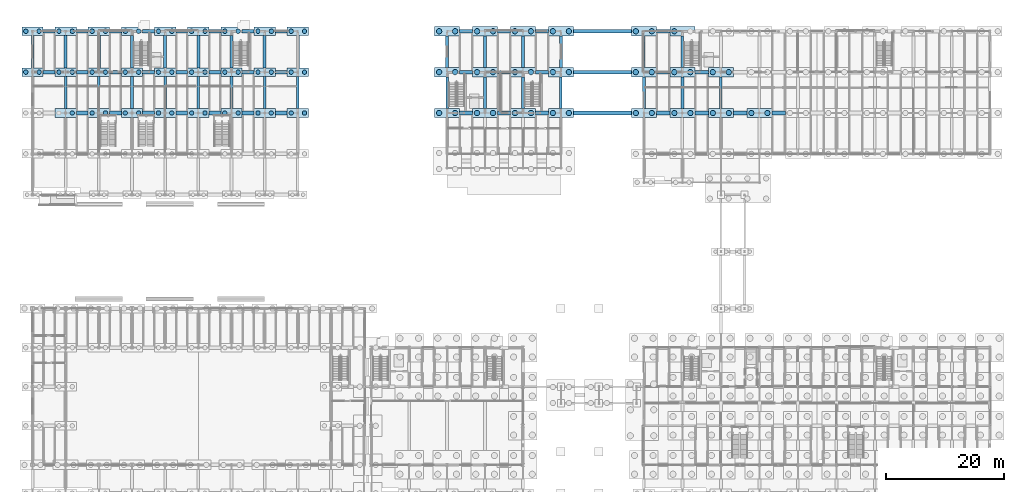
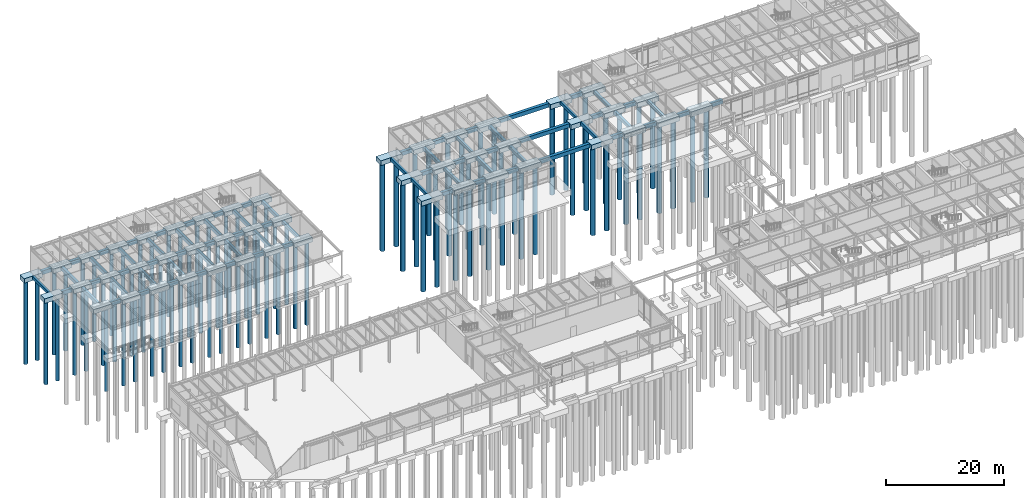
# One storey, part 5 of 82: 119 footings, 92 piles.
"""IFC4 building model written with IfcOpenShell, lengths in metres."""

from ifc_helpers import new_model, si_unit, direction, frame, origin, origin_2d, place, context, subcontext, project, spatial, rectangle, circle, extrude, material, material_profile, profile_set, type_object, element, save


model = new_model("IFC4")

# Units and contexts
model_context = context("Model", 3, precision=1e-05, world=origin(), true_north=direction((0.0, 1.0)))
body_context = subcontext(model_context, "Body", "Model", "MODEL_VIEW")
ifc_project = project(units=[si_unit("LENGTHUNIT", "METRE"), si_unit("AREAUNIT", "SQUARE_METRE"), si_unit("VOLUMEUNIT", "CUBIC_METRE"), si_unit("PLANEANGLEUNIT", "RADIAN"), si_unit("MASSUNIT", "GRAM", prefix="KILO")], contexts=[model_context])

# Site, building, storey
site_placement = place(None, origin())
site = spatial("IfcSite", under=ifc_project, at=site_placement, CompositionType="ELEMENT")
building_placement = place(site_placement, origin())
building = spatial("IfcBuilding", under=site, at=building_placement, Name="Trelmorton Wharf Fire Station", CompositionType="ELEMENT")
storey_placement = place(building_placement, origin())
storey = spatial("IfcBuildingStorey", under=building, at=storey_placement, Name="L00", CompositionType="ELEMENT", Elevation=0.0)

# Footings
ifc_material_1 = material(Name="Concrete 40 MPa", Category="concrete")
ifc_material_profile_1 = material_profile(ifc_material_1, rectangle(XDim=0.449951171875, YDim=0.64990234375, at=origin_2d()), Name="RC450x650")
ifc_profile_set_1 = profile_set([ifc_material_profile_1], Name="Concrete 40 MPa")
footing_type_1 = type_object("IfcFootingType", Name="GB_450x650", PredefinedType="FOOTING_BEAM", material=ifc_profile_set_1)
for number, where, z_axis, x_axis, name in (
    (1, (0.800048828125, 74.824951171875, -0.675048828125), (0.0, 1.0, 0.0), (-1.0, 0.0, 0.0), "FT-GB-207"),
    (2, (6.39990234375, 67.925048828125, -0.675048828125), (0.0, 1.0, 0.0), (-1.0, 0.0, 0.0), "FT-GB-215"),
    (3, (12.0, 67.925048828125, -0.675048828125), (0.0, 1.0, 0.0), (-1.0, 0.0, 0.0), "FT-GB-221"),
    (4, (17.60009765625, 67.925048828125, -0.675048828125), (0.0, 1.0, 0.0), (-1.0, 0.0, 0.0), "FT-GB-227"),
    (5, (23.199951171875, 67.925048828125, -0.675048828125), (0.0, 1.0, 0.0), (-1.0, 0.0, 0.0), "FT-GB-233"),
    (6, (28.800048828125, 67.925048828125, -0.675048828125), (0.0, 1.0, 0.0), (-1.0, 0.0, 0.0), "FT-GB-239"),
    (7, (34.39990234375, 67.925048828125, -0.675048828125), (0.0, 1.0, 0.0), (-1.0, 0.0, 0.0), "FT-GB-245"),
    (8, (40.0, 67.925048828125, -0.675048828125), (0.0, 1.0, 0.0), (-1.0, 0.0, 0.0), "FT-GB-251"),
    (9, (45.60009765625, 67.925048828125, -0.675048828125), (0.0, 1.0, 0.0), (-1.0, 0.0, 0.0), "FT-GB-257"),
):
    element("IfcFooting", number, at=place(storey_placement, frame(where, z_axis=z_axis, x_axis=x_axis)), inside=storey, type_object=footing_type_1, Name=name, PredefinedType="FOOTING_BEAM", context=body_context, shape_type="SweptSolid", body=[
        extrude(rectangle(XDim=0.449951171875, YDim=0.64990234375, at=origin_2d()), origin(), (0.0, 0.0, 1.0), 5.449951171875),
    ])
for number, where, z_axis, x_axis, name in (
    (10, (70.800048828125, 68.0, -0.675048828125), (0.0, 1.0, 0.0), (-1.0, 0.0, 0.0), "FT-GB-275"),
    (11, (77.199951171875, 68.0, -0.675048828125), (0.0, 1.0, 0.0), (-1.0, 0.0, 0.0), "FT-GB-281"),
    (12, (83.60009765625, 74.89990234375, -0.675048828125), (0.0, 1.0, 0.0), (-1.0, 0.0, 0.0), "FT-GB-289"),
    (13, (90.0, 68.0, -0.675048828125), (0.0, 1.0, 0.0), (-1.0, 0.0, 0.0), "FT-GB-291"),
    (14, (104.0, 74.89990234375, -0.675048828125), (0.0, 1.0, 0.0), (-1.0, 0.0, 0.0), "FT-GB-297"),
    (15, (110.5, 74.89990234375, -0.675048828125), (0.0, 1.0, 0.0), (-1.0, 0.0, 0.0), "FT-GB-305"),
    (16, (117.0, 68.0, -0.675048828125), (0.0, 1.0, 0.0), (-1.0, 0.0, 0.0), "FT-GB-313"),
):
    element("IfcFooting", number, at=place(storey_placement, frame(where, z_axis=z_axis, x_axis=x_axis)), inside=storey, type_object=footing_type_1, Name=name, PredefinedType="FOOTING_BEAM", context=body_context, shape_type="SweptSolid", body=[
        extrude(rectangle(XDim=0.449951171875, YDim=0.64990234375, at=origin_2d()), origin(), (0.0, 0.0, 1.0), 5.300048828125),
    ])
ifc_material_profile_2 = material_profile(ifc_material_1, rectangle(XDim=0.5, YDim=0.699951171875, at=origin_2d()), Name="RC500x700")
ifc_profile_set_2 = profile_set([ifc_material_profile_2], Name="Concrete 40 MPa")
footing_type_2 = type_object("IfcFootingType", Name="GB_500x700", PredefinedType="FOOTING_BEAM", material=ifc_profile_set_2)
for number, where, z_axis, x_axis, name in (
    (17, (6.39990234375, 74.824951171875, -0.699951171875), (0.0, 1.0, 0.0), (-1.0, 0.0, 0.0), "FT-GB-216"),
    (18, (12.0, 74.824951171875, -0.699951171875), (0.0, 1.0, 0.0), (-1.0, 0.0, 0.0), "FT-GB-222"),
    (19, (17.60009765625, 74.824951171875, -0.699951171875), (0.0, 1.0, 0.0), (-1.0, 0.0, 0.0), "FT-GB-228"),
    (20, (23.199951171875, 74.824951171875, -0.699951171875), (0.0, 1.0, 0.0), (-1.0, 0.0, 0.0), "FT-GB-234"),
    (21, (28.800048828125, 74.824951171875, -0.699951171875), (0.0, 1.0, 0.0), (-1.0, 0.0, 0.0), "FT-GB-240"),
    (22, (34.39990234375, 74.824951171875, -0.699951171875), (0.0, 1.0, 0.0), (-1.0, 0.0, 0.0), "FT-GB-246"),
    (23, (40.0, 74.824951171875, -0.699951171875), (0.0, 1.0, 0.0), (-1.0, 0.0, 0.0), "FT-GB-252"),
    (24, (45.60009765625, 74.824951171875, -0.699951171875), (0.0, 1.0, 0.0), (-1.0, 0.0, 0.0), "FT-GB-258"),
):
    element("IfcFooting", number, at=place(storey_placement, frame(where, z_axis=z_axis, x_axis=x_axis)), inside=storey, type_object=footing_type_2, Name=name, PredefinedType="FOOTING_BEAM", context=body_context, shape_type="SweptSolid", body=[
        extrude(rectangle(XDim=0.5, YDim=0.699951171875, at=origin_2d()), origin(), (0.0, 0.0, 1.0), 5.449951171875),
    ])
for number, where, z_axis, x_axis, name in (
    (25, (70.800048828125, 74.89990234375, -0.699951171875), (0.0, 1.0, 0.0), (-1.0, 0.0, 0.0), "FT-GB-276"),
    (26, (77.199951171875, 74.89990234375, -0.699951171875), (0.0, 1.0, 0.0), (-1.0, 0.0, 0.0), "FT-GB-282"),
    (27, (83.60009765625, 68.0, -0.699951171875), (0.0, 1.0, 0.0), (-1.0, 0.0, 0.0), "FT-GB-288"),
    (28, (90.0, 74.89990234375, -0.699951171875), (0.0, 1.0, 0.0), (-1.0, 0.0, 0.0), "FT-GB-292"),
    (29, (104.0, 68.0, -0.699951171875), (0.0, 1.0, 0.0), (-1.0, 0.0, 0.0), "FT-GB-296"),
    (30, (110.5, 68.0, -0.699951171875), (0.0, 1.0, 0.0), (-1.0, 0.0, 0.0), "FT-GB-304"),
):
    element("IfcFooting", number, at=place(storey_placement, frame(where, z_axis=z_axis, x_axis=x_axis)), inside=storey, type_object=footing_type_2, Name=name, PredefinedType="FOOTING_BEAM", context=body_context, shape_type="SweptSolid", body=[
        extrude(rectangle(XDim=0.5, YDim=0.699951171875, at=origin_2d()), origin(), (0.0, 0.0, 1.0), 5.300048828125),
    ])
ifc_material_profile_3 = material_profile(ifc_material_1, rectangle(XDim=0.60009765625, YDim=0.800048828125, at=origin_2d()), Name="RC600x800")
ifc_profile_set_3 = profile_set([ifc_material_profile_3], Name="Concrete 40 MPa")
footing_type_3 = type_object("IfcFootingType", Name="GB_600x800", PredefinedType="FOOTING_BEAM", material=ifc_profile_set_3)
for number, where, z_axis, x_axis, name in (
    (31, (8.199951171875, 67.199951171875, -0.75), (1.0, 0.0, 0.0), (0.0, 1.0, 0.0), "FT-GB-137"),
    (32, (13.800048828125, 67.199951171875, -0.75), (1.0, 0.0, 0.0), (0.0, 1.0, 0.0), "FT-GB-138"),
    (33, (19.39990234375, 67.199951171875, -0.75), (1.0, 0.0, 0.0), (0.0, 1.0, 0.0), "FT-GB-139"),
    (34, (25.0, 67.199951171875, -0.75), (1.0, 0.0, 0.0), (0.0, 1.0, 0.0), "FT-GB-140"),
    (35, (30.60009765625, 67.199951171875, -0.75), (1.0, 0.0, 0.0), (0.0, 1.0, 0.0), "FT-GB-141"),
    (36, (36.199951171875, 67.199951171875, -0.75), (1.0, 0.0, 0.0), (0.0, 1.0, 0.0), "FT-GB-142"),
    (37, (41.800048828125, 67.199951171875, -0.75), (1.0, 0.0, 0.0), (0.0, 1.0, 0.0), "FT-GB-143"),
):
    element("IfcFooting", number, at=place(storey_placement, frame(where, z_axis=z_axis, x_axis=x_axis)), inside=storey, type_object=footing_type_3, Name=name, PredefinedType="FOOTING_BEAM", context=body_context, shape_type="SweptSolid", body=[
        extrude(rectangle(XDim=0.60009765625, YDim=0.800048828125, at=origin_2d()), origin(), (0.0, 0.0, 1.0), 2.0),
    ])
footing_1_placement = place(storey_placement, frame((72.89990234375, 67.199951171875, -0.75), z_axis=(1.0, 0.0, 0.0), x_axis=(0.0, 1.0, 0.0)))
element("IfcFooting", 38, at=footing_1_placement, inside=storey, type_object=footing_type_3, Name="FT-GB-144", PredefinedType="FOOTING_BEAM", context=body_context, shape_type="SweptSolid", body=[
    extrude(rectangle(XDim=0.60009765625, YDim=0.800048828125, at=origin_2d()), origin(), (0.0, 0.0, 1.0), 2.2001953125),
])
for number, where, z_axis, x_axis, name in (
    (39, (79.300048828125, 67.199951171875, -0.75), (1.0, 0.0, 0.0), (0.0, 1.0, 0.0), "FT-GB-145"),
    (40, (85.699951171875, 67.199951171875, -0.75), (1.0, 0.0, 0.0), (0.0, 1.0, 0.0), "FT-GB-146"),
):
    element("IfcFooting", number, at=place(storey_placement, frame(where, z_axis=z_axis, x_axis=x_axis)), inside=storey, type_object=footing_type_3, Name=name, PredefinedType="FOOTING_BEAM", context=body_context, shape_type="SweptSolid", body=[
        extrude(rectangle(XDim=0.60009765625, YDim=0.800048828125, at=origin_2d()), origin(), (0.0, 0.0, 1.0), 2.199951171875),
    ])
footing_2_placement = place(storey_placement, frame((92.10009765625, 67.199951171875, -0.75), z_axis=(1.0, 0.0, 0.0), x_axis=(0.0, 1.0, 0.0)))
element("IfcFooting", 41, at=footing_2_placement, inside=storey, type_object=footing_type_3, Name="FT-GB-147", PredefinedType="FOOTING_BEAM", context=body_context, shape_type="SweptSolid", body=[
    extrude(rectangle(XDim=0.60009765625, YDim=0.800048828125, at=origin_2d()), origin(), (0.0, 0.0, 1.0), 9.7998046875),
])
for number, where, z_axis, x_axis, name in (
    (42, (106.10009765625, 67.199951171875, -0.75), (1.0, 0.0, 0.0), (0.0, 1.0, 0.0), "FT-GB-148"),
    (43, (112.60009765625, 67.199951171875, -0.75), (1.0, 0.0, 0.0), (0.0, 1.0, 0.0), "FT-GB-149"),
    (44, (119.10009765625, 67.199951171875, -0.75), (1.0, 0.0, 0.0), (0.0, 1.0, 0.0), "FT-GB-150"),
    (45, (125.60009765625, 67.199951171875, -0.75), (1.0, 0.0, 0.0), (0.0, 1.0, 0.0), "FT-GB-151"),
):
    element("IfcFooting", number, at=place(storey_placement, frame(where, z_axis=z_axis, x_axis=x_axis)), inside=storey, type_object=footing_type_3, Name=name, PredefinedType="FOOTING_BEAM", context=body_context, shape_type="SweptSolid", body=[
        extrude(rectangle(XDim=0.60009765625, YDim=0.800048828125, at=origin_2d()), origin(), (0.0, 0.0, 1.0), 2.2998046875),
    ])
for number, where, z_axis, x_axis, name in (
    (46, (2.60009765625, 74.10009765625, -0.75), (1.0, 0.0, 0.0), (0.0, 1.0, 0.0), "FT-GB-157"),
    (47, (8.199951171875, 74.10009765625, -0.75), (1.0, 0.0, 0.0), (0.0, 1.0, 0.0), "FT-GB-158"),
    (48, (13.800048828125, 74.10009765625, -0.75), (1.0, 0.0, 0.0), (0.0, 1.0, 0.0), "FT-GB-159"),
    (49, (19.39990234375, 74.10009765625, -0.75), (1.0, 0.0, 0.0), (0.0, 1.0, 0.0), "FT-GB-160"),
    (50, (25.0, 74.10009765625, -0.75), (1.0, 0.0, 0.0), (0.0, 1.0, 0.0), "FT-GB-161"),
    (51, (30.60009765625, 74.10009765625, -0.75), (1.0, 0.0, 0.0), (0.0, 1.0, 0.0), "FT-GB-162"),
    (52, (36.199951171875, 74.10009765625, -0.75), (1.0, 0.0, 0.0), (0.0, 1.0, 0.0), "FT-GB-163"),
    (53, (41.800048828125, 74.10009765625, -0.75), (1.0, 0.0, 0.0), (0.0, 1.0, 0.0), "FT-GB-164"),
):
    element("IfcFooting", number, at=place(storey_placement, frame(where, z_axis=z_axis, x_axis=x_axis)), inside=storey, type_object=footing_type_3, Name=name, PredefinedType="FOOTING_BEAM", context=body_context, shape_type="SweptSolid", body=[
        extrude(rectangle(XDim=0.60009765625, YDim=0.800048828125, at=origin_2d()), origin(), (0.0, 0.0, 1.0), 2.0),
    ])
footing_3_placement = place(storey_placement, frame((72.89990234375, 74.10009765625, -0.75), z_axis=(1.0, 0.0, 0.0), x_axis=(0.0, 1.0, 0.0)))
element("IfcFooting", 54, at=footing_3_placement, inside=storey, type_object=footing_type_3, Name="FT-GB-165", PredefinedType="FOOTING_BEAM", context=body_context, shape_type="SweptSolid", body=[
    extrude(rectangle(XDim=0.60009765625, YDim=0.800048828125, at=origin_2d()), origin(), (0.0, 0.0, 1.0), 2.2001953125),
])
for number, where, z_axis, x_axis, name in (
    (55, (79.300048828125, 74.10009765625, -0.75), (1.0, 0.0, 0.0), (0.0, 1.0, 0.0), "FT-GB-166"),
    (56, (85.699951171875, 74.10009765625, -0.75), (1.0, 0.0, 0.0), (0.0, 1.0, 0.0), "FT-GB-167"),
):
    element("IfcFooting", number, at=place(storey_placement, frame(where, z_axis=z_axis, x_axis=x_axis)), inside=storey, type_object=footing_type_3, Name=name, PredefinedType="FOOTING_BEAM", context=body_context, shape_type="SweptSolid", body=[
        extrude(rectangle(XDim=0.60009765625, YDim=0.800048828125, at=origin_2d()), origin(), (0.0, 0.0, 1.0), 2.199951171875),
    ])
footing_4_placement = place(storey_placement, frame((92.10009765625, 74.10009765625, -0.75), z_axis=(1.0, 0.0, 0.0), x_axis=(0.0, 1.0, 0.0)))
element("IfcFooting", 57, at=footing_4_placement, inside=storey, type_object=footing_type_3, Name="FT-GB-168", PredefinedType="FOOTING_BEAM", context=body_context, shape_type="SweptSolid", body=[
    extrude(rectangle(XDim=0.60009765625, YDim=0.800048828125, at=origin_2d()), origin(), (0.0, 0.0, 1.0), 9.7998046875),
])
for number, where, z_axis, x_axis, name in (
    (58, (106.10009765625, 74.10009765625, -0.75), (1.0, 0.0, 0.0), (0.0, 1.0, 0.0), "FT-GB-169"),
    (59, (112.60009765625, 74.10009765625, -0.75), (1.0, 0.0, 0.0), (0.0, 1.0, 0.0), "FT-GB-170"),
):
    element("IfcFooting", number, at=place(storey_placement, frame(where, z_axis=z_axis, x_axis=x_axis)), inside=storey, type_object=footing_type_3, Name=name, PredefinedType="FOOTING_BEAM", context=body_context, shape_type="SweptSolid", body=[
        extrude(rectangle(XDim=0.60009765625, YDim=0.800048828125, at=origin_2d()), origin(), (0.0, 0.0, 1.0), 2.2998046875),
    ])
for number, where, z_axis, x_axis, name in (
    (60, (2.60009765625, 81.0, -0.75), (1.0, 0.0, 0.0), (0.0, 1.0, 0.0), "FT-GB-178"),
    (61, (8.199951171875, 81.0, -0.75), (1.0, 0.0, 0.0), (0.0, 1.0, 0.0), "FT-GB-179"),
    (62, (13.800048828125, 81.0, -0.75), (1.0, 0.0, 0.0), (0.0, 1.0, 0.0), "FT-GB-180"),
    (63, (19.39990234375, 81.0, -0.75), (1.0, 0.0, 0.0), (0.0, 1.0, 0.0), "FT-GB-181"),
    (64, (25.0, 81.0, -0.75), (1.0, 0.0, 0.0), (0.0, 1.0, 0.0), "FT-GB-182"),
    (65, (30.60009765625, 81.0, -0.75), (1.0, 0.0, 0.0), (0.0, 1.0, 0.0), "FT-GB-183"),
    (66, (36.199951171875, 81.0, -0.75), (1.0, 0.0, 0.0), (0.0, 1.0, 0.0), "FT-GB-184"),
    (67, (41.800048828125, 81.0, -0.75), (1.0, 0.0, 0.0), (0.0, 1.0, 0.0), "FT-GB-185"),
):
    element("IfcFooting", number, at=place(storey_placement, frame(where, z_axis=z_axis, x_axis=x_axis)), inside=storey, type_object=footing_type_3, Name=name, PredefinedType="FOOTING_BEAM", context=body_context, shape_type="SweptSolid", body=[
        extrude(rectangle(XDim=0.60009765625, YDim=0.800048828125, at=origin_2d()), origin(), (0.0, 0.0, 1.0), 2.0),
    ])
footing_5_placement = place(storey_placement, frame((72.89990234375, 81.0, -0.75), z_axis=(1.0, 0.0, 0.0), x_axis=(0.0, 1.0, 0.0)))
element("IfcFooting", 68, at=footing_5_placement, inside=storey, type_object=footing_type_3, Name="FT-GB-186", PredefinedType="FOOTING_BEAM", context=body_context, shape_type="SweptSolid", body=[
    extrude(rectangle(XDim=0.60009765625, YDim=0.800048828125, at=origin_2d()), origin(), (0.0, 0.0, 1.0), 2.2001953125),
])
for number, where, z_axis, x_axis, name in (
    (69, (79.300048828125, 81.0, -0.75), (1.0, 0.0, 0.0), (0.0, 1.0, 0.0), "FT-GB-187"),
    (70, (85.699951171875, 81.0, -0.75), (1.0, 0.0, 0.0), (0.0, 1.0, 0.0), "FT-GB-188"),
):
    element("IfcFooting", number, at=place(storey_placement, frame(where, z_axis=z_axis, x_axis=x_axis)), inside=storey, type_object=footing_type_3, Name=name, PredefinedType="FOOTING_BEAM", context=body_context, shape_type="SweptSolid", body=[
        extrude(rectangle(XDim=0.60009765625, YDim=0.800048828125, at=origin_2d()), origin(), (0.0, 0.0, 1.0), 2.199951171875),
    ])
footing_6_placement = place(storey_placement, frame((92.10009765625, 81.0, -0.75), z_axis=(1.0, 0.0, 0.0), x_axis=(0.0, 1.0, 0.0)))
element("IfcFooting", 71, at=footing_6_placement, inside=storey, type_object=footing_type_3, Name="FT-GB-189", PredefinedType="FOOTING_BEAM", context=body_context, shape_type="SweptSolid", body=[
    extrude(rectangle(XDim=0.60009765625, YDim=0.800048828125, at=origin_2d()), origin(), (0.0, 0.0, 1.0), 9.7998046875),
])
footing_7_placement = place(storey_placement, frame((106.10009765625, 81.0, -0.75), z_axis=(1.0, 0.0, 0.0), x_axis=(0.0, 1.0, 0.0)))
element("IfcFooting", 72, at=footing_7_placement, inside=storey, type_object=footing_type_3, Name="FT-GB-190", PredefinedType="FOOTING_BEAM", context=body_context, shape_type="SweptSolid", body=[
    extrude(rectangle(XDim=0.60009765625, YDim=0.800048828125, at=origin_2d()), origin(), (0.0, 0.0, 1.0), 2.2998046875),
])
footing_type_4 = type_object("IfcFootingType", Name="PC_2P_750_W", PredefinedType="PILE_CAP", material=ifc_material_1)
for number, where, z_axis, x_axis, name in (
    (73, (0.800048828125, 74.10009765625, -1.2998046875), (0.0, 0.0, 1.0), (1.0, 0.0, 0.0), "FT-CAP-010"),
    (74, (0.800048828125, 81.0, -1.2998046875), (0.0, 0.0, 1.0), (1.0, 0.0, 0.0), "FT-CAP-011"),
    (75, (6.39990234375, 67.199951171875, -1.2998046875), (0.0, 0.0, 1.0), (1.0, 0.0, 0.0), "FT-CAP-020"),
    (76, (6.39990234375, 74.10009765625, -1.2998046875), (0.0, 0.0, 1.0), (1.0, 0.0, 0.0), "FT-CAP-021"),
    (77, (6.39990234375, 81.0, -1.2998046875), (0.0, 0.0, 1.0), (1.0, 0.0, 0.0), "FT-CAP-022"),
    (78, (12.0, 67.199951171875, -1.2998046875), (0.0, 0.0, 1.0), (1.0, 0.0, 0.0), "FT-CAP-029"),
    (79, (12.0, 74.10009765625, -1.2998046875), (0.0, 0.0, 1.0), (1.0, 0.0, 0.0), "FT-CAP-030"),
    (80, (12.0, 81.0, -1.2998046875), (0.0, 0.0, 1.0), (1.0, 0.0, 0.0), "FT-CAP-031"),
    (81, (17.60009765625, 67.199951171875, -1.2998046875), (0.0, 0.0, 1.0), (1.0, 0.0, 0.0), "FT-CAP-038"),
    (82, (17.60009765625, 74.10009765625, -1.2998046875), (0.0, 0.0, 1.0), (1.0, 0.0, 0.0), "FT-CAP-039"),
    (83, (17.60009765625, 81.0, -1.2998046875), (0.0, 0.0, 1.0), (1.0, 0.0, 0.0), "FT-CAP-040"),
    (84, (23.199951171875, 67.199951171875, -1.2998046875), (0.0, 0.0, 1.0), (1.0, 0.0, 0.0), "FT-CAP-047"),
    (85, (23.199951171875, 74.10009765625, -1.2998046875), (0.0, 0.0, 1.0), (1.0, 0.0, 0.0), "FT-CAP-048"),
    (86, (23.199951171875, 81.0, -1.2998046875), (0.0, 0.0, 1.0), (1.0, 0.0, 0.0), "FT-CAP-049"),
    (87, (28.800048828125, 67.199951171875, -1.2998046875), (0.0, 0.0, 1.0), (1.0, 0.0, 0.0), "FT-CAP-056"),
    (88, (28.800048828125, 74.10009765625, -1.2998046875), (0.0, 0.0, 1.0), (1.0, 0.0, 0.0), "FT-CAP-057"),
    (89, (28.800048828125, 81.0, -1.2998046875), (0.0, 0.0, 1.0), (1.0, 0.0, 0.0), "FT-CAP-058"),
    (90, (34.39990234375, 67.199951171875, -1.2998046875), (0.0, 0.0, 1.0), (1.0, 0.0, 0.0), "FT-CAP-065"),
    (91, (34.39990234375, 74.10009765625, -1.2998046875), (0.0, 0.0, 1.0), (1.0, 0.0, 0.0), "FT-CAP-066"),
    (92, (34.39990234375, 81.0, -1.2998046875), (0.0, 0.0, 1.0), (1.0, 0.0, 0.0), "FT-CAP-067"),
    (93, (40.0, 67.199951171875, -1.2998046875), (0.0, 0.0, 1.0), (1.0, 0.0, 0.0), "FT-CAP-074"),
    (94, (40.0, 74.10009765625, -1.2998046875), (0.0, 0.0, 1.0), (1.0, 0.0, 0.0), "FT-CAP-075"),
    (95, (40.0, 81.0, -1.2998046875), (0.0, 0.0, 1.0), (1.0, 0.0, 0.0), "FT-CAP-076"),
    (96, (45.60009765625, 67.199951171875, -1.2998046875), (0.0, 0.0, 1.0), (1.0, 0.0, 0.0), "FT-CAP-083"),
    (97, (45.60009765625, 74.10009765625, -1.2998046875), (0.0, 0.0, 1.0), (1.0, 0.0, 0.0), "FT-CAP-084"),
    (98, (45.60009765625, 81.0, -1.2998046875), (0.0, 0.0, 1.0), (1.0, 0.0, 0.0), "FT-CAP-085"),
):
    element("IfcFooting", number, at=place(storey_placement, frame(where, z_axis=z_axis, x_axis=x_axis)), inside=storey, type_object=footing_type_4, Name=name, PredefinedType="PILE_CAP", context=body_context, shape_type="SweptSolid", body=[
        extrude(rectangle(XDim=3.60009765625, YDim=1.449951171875, at=origin_2d()), origin(), (0.0, 0.0, 1.0), 0.949951171875),
    ])
footing_type_5 = type_object("IfcFootingType", Name="PC_2P_900_W", PredefinedType="PILE_CAP", material=ifc_material_1)
for number, where, z_axis, x_axis, name in (
    (99, (70.800048828125, 67.199951171875, -1.35009765625), (0.0, 0.0, 1.0), (1.0, 0.0, 0.0), "FT-CAP-107"),
    (100, (70.800048828125, 74.10009765625, -1.35009765625), (0.0, 0.0, 1.0), (1.0, 0.0, 0.0), "FT-CAP-108"),
    (101, (70.800048828125, 81.0, -1.35009765625), (0.0, 0.0, 1.0), (1.0, 0.0, 0.0), "FT-CAP-109"),
    (102, (77.199951171875, 67.199951171875, -1.35009765625), (0.0, 0.0, 1.0), (1.0, 0.0, 0.0), "FT-CAP-115"),
    (103, (77.199951171875, 74.10009765625, -1.35009765625), (0.0, 0.0, 1.0), (1.0, 0.0, 0.0), "FT-CAP-116"),
    (104, (77.199951171875, 81.0, -1.35009765625), (0.0, 0.0, 1.0), (1.0, 0.0, 0.0), "FT-CAP-117"),
    (105, (83.60009765625, 67.199951171875, -1.35009765625), (0.0, 0.0, 1.0), (1.0, 0.0, 0.0), "FT-CAP-124"),
    (106, (83.60009765625, 74.10009765625, -1.35009765625), (0.0, 0.0, 1.0), (1.0, 0.0, 0.0), "FT-CAP-125"),
    (107, (83.60009765625, 81.0, -1.35009765625), (0.0, 0.0, 1.0), (1.0, 0.0, 0.0), "FT-CAP-126"),
    (108, (90.0, 67.199951171875, -1.35009765625), (0.0, 0.0, 1.0), (1.0, 0.0, 0.0), "FT-CAP-129"),
    (109, (90.0, 74.10009765625, -1.35009765625), (0.0, 0.0, 1.0), (1.0, 0.0, 0.0), "FT-CAP-130"),
    (110, (90.0, 81.0, -1.35009765625), (0.0, 0.0, 1.0), (1.0, 0.0, 0.0), "FT-CAP-131"),
    (111, (104.0, 67.199951171875, -1.35009765625), (0.0, 0.0, 1.0), (1.0, 0.0, 0.0), "FT-CAP-139"),
    (112, (104.0, 74.10009765625, -1.35009765625), (0.0, 0.0, 1.0), (1.0, 0.0, 0.0), "FT-CAP-140"),
    (113, (104.0, 81.0, -1.35009765625), (0.0, 0.0, 1.0), (1.0, 0.0, 0.0), "FT-CAP-141"),
    (114, (110.5, 67.199951171875, -1.35009765625), (0.0, 0.0, 1.0), (1.0, 0.0, 0.0), "FT-CAP-149"),
    (115, (110.5, 74.10009765625, -1.35009765625), (0.0, 0.0, 1.0), (1.0, 0.0, 0.0), "FT-CAP-150"),
    (116, (110.5, 81.0, -1.35009765625), (0.0, 0.0, 1.0), (1.0, 0.0, 0.0), "FT-CAP-151"),
    (117, (117.0, 67.199951171875, -1.35009765625), (0.0, 0.0, 1.0), (1.0, 0.0, 0.0), "FT-CAP-161"),
    (118, (117.0, 74.10009765625, -1.35009765625), (0.0, 0.0, 1.0), (1.0, 0.0, 0.0), "FT-CAP-162"),
    (119, (123.5, 67.199951171875, -1.35009765625), (0.0, 0.0, 1.0), (1.0, 0.0, 0.0), "FT-CAP-172"),
):
    element("IfcFooting", number, at=place(storey_placement, frame(where, z_axis=z_axis, x_axis=x_axis)), inside=storey, type_object=footing_type_5, Name=name, PredefinedType="PILE_CAP", context=body_context, shape_type="SweptSolid", body=[
        extrude(rectangle(XDim=4.199951171875, YDim=1.60009765625, at=origin_2d()), origin(), (0.0, 0.0, 1.0), 1.0),
    ])

# Piles
ifc_material_2 = material(Name="Concrete 45 MPa", Category="concrete")
ifc_material_profile_4 = material_profile(ifc_material_2, circle(Radius=0.375, at=origin_2d()), Name="PILE-D750")
ifc_profile_set_4 = profile_set([ifc_material_profile_4], Name="Concrete 45 MPa")
pile_type_1 = type_object("IfcPileType", Name="PILE_D750", PredefinedType="BORED", material=ifc_profile_set_4)
for number, where, z_axis, x_axis, name in (
    (120, (-0.324951171875, 74.10009765625, -1.199951171875), (0.0, 0.0, -1.0), (1.0, 0.0, 0.0), "PL-0019"),
    (121, (1.925048828125, 74.10009765625, -1.199951171875), (0.0, 0.0, -1.0), (1.0, 0.0, 0.0), "PL-0020"),
    (122, (-0.324951171875, 81.0, -1.199951171875), (0.0, 0.0, -1.0), (1.0, 0.0, 0.0), "PL-0021"),
    (123, (1.925048828125, 81.0, -1.199951171875), (0.0, 0.0, -1.0), (1.0, 0.0, 0.0), "PL-0022"),
    (124, (7.52490234375, 67.199951171875, -1.199951171875), (0.0, 0.0, -1.0), (1.0, 0.0, 0.0), "PL-0040"),
    (125, (5.27490234375, 74.10009765625, -1.199951171875), (0.0, 0.0, -1.0), (1.0, 0.0, 0.0), "PL-0041"),
    (126, (7.52490234375, 74.10009765625, -1.199951171875), (0.0, 0.0, -1.0), (1.0, 0.0, 0.0), "PL-0042"),
    (127, (5.27490234375, 81.0, -1.199951171875), (0.0, 0.0, -1.0), (1.0, 0.0, 0.0), "PL-0043"),
    (128, (7.52490234375, 81.0, -1.199951171875), (0.0, 0.0, -1.0), (1.0, 0.0, 0.0), "PL-0044"),
    (129, (10.875, 67.199951171875, -1.199951171875), (0.0, 0.0, -1.0), (1.0, 0.0, 0.0), "PL-0057"),
    (130, (13.125, 67.199951171875, -1.199951171875), (0.0, 0.0, -1.0), (1.0, 0.0, 0.0), "PL-0058"),
    (131, (10.875, 74.10009765625, -1.199951171875), (0.0, 0.0, -1.0), (1.0, 0.0, 0.0), "PL-0059"),
    (132, (13.125, 74.10009765625, -1.199951171875), (0.0, 0.0, -1.0), (1.0, 0.0, 0.0), "PL-0060"),
    (133, (10.875, 81.0, -1.199951171875), (0.0, 0.0, -1.0), (1.0, 0.0, 0.0), "PL-0061"),
    (134, (13.125, 81.0, -1.199951171875), (0.0, 0.0, -1.0), (1.0, 0.0, 0.0), "PL-0062"),
    (135, (16.47509765625, 67.199951171875, -1.199951171875), (0.0, 0.0, -1.0), (1.0, 0.0, 0.0), "PL-0075"),
    (136, (18.72509765625, 67.199951171875, -1.199951171875), (0.0, 0.0, -1.0), (1.0, 0.0, 0.0), "PL-0076"),
    (137, (16.47509765625, 74.10009765625, -1.199951171875), (0.0, 0.0, -1.0), (1.0, 0.0, 0.0), "PL-0077"),
    (138, (18.72509765625, 74.10009765625, -1.199951171875), (0.0, 0.0, -1.0), (1.0, 0.0, 0.0), "PL-0078"),
    (139, (16.47509765625, 81.0, -1.199951171875), (0.0, 0.0, -1.0), (1.0, 0.0, 0.0), "PL-0079"),
    (140, (18.72509765625, 81.0, -1.199951171875), (0.0, 0.0, -1.0), (1.0, 0.0, 0.0), "PL-0080"),
    (141, (22.074951171875, 67.199951171875, -1.199951171875), (0.0, 0.0, -1.0), (1.0, 0.0, 0.0), "PL-0093"),
    (142, (24.324951171875, 67.199951171875, -1.199951171875), (0.0, 0.0, -1.0), (1.0, 0.0, 0.0), "PL-0094"),
    (143, (22.074951171875, 74.10009765625, -1.199951171875), (0.0, 0.0, -1.0), (1.0, 0.0, 0.0), "PL-0095"),
    (144, (24.324951171875, 74.10009765625, -1.199951171875), (0.0, 0.0, -1.0), (1.0, 0.0, 0.0), "PL-0096"),
    (145, (22.074951171875, 81.0, -1.199951171875), (0.0, 0.0, -1.0), (1.0, 0.0, 0.0), "PL-0097"),
    (146, (24.324951171875, 81.0, -1.199951171875), (0.0, 0.0, -1.0), (1.0, 0.0, 0.0), "PL-0098"),
    (147, (27.675048828125, 67.199951171875, -1.199951171875), (0.0, 0.0, -1.0), (1.0, 0.0, 0.0), "PL-0111"),
    (148, (29.925048828125, 67.199951171875, -1.199951171875), (0.0, 0.0, -1.0), (1.0, 0.0, 0.0), "PL-0112"),
    (149, (27.675048828125, 74.10009765625, -1.199951171875), (0.0, 0.0, -1.0), (1.0, 0.0, 0.0), "PL-0113"),
    (150, (29.925048828125, 74.10009765625, -1.199951171875), (0.0, 0.0, -1.0), (1.0, 0.0, 0.0), "PL-0114"),
    (151, (27.675048828125, 81.0, -1.199951171875), (0.0, 0.0, -1.0), (1.0, 0.0, 0.0), "PL-0115"),
    (152, (29.925048828125, 81.0, -1.199951171875), (0.0, 0.0, -1.0), (1.0, 0.0, 0.0), "PL-0116"),
    (153, (33.27490234375, 67.199951171875, -1.199951171875), (0.0, 0.0, -1.0), (1.0, 0.0, 0.0), "PL-0129"),
    (154, (35.52490234375, 67.199951171875, -1.199951171875), (0.0, 0.0, -1.0), (1.0, 0.0, 0.0), "PL-0130"),
    (155, (33.27490234375, 74.10009765625, -1.199951171875), (0.0, 0.0, -1.0), (1.0, 0.0, 0.0), "PL-0131"),
    (156, (35.52490234375, 74.10009765625, -1.199951171875), (0.0, 0.0, -1.0), (1.0, 0.0, 0.0), "PL-0132"),
    (157, (33.27490234375, 81.0, -1.199951171875), (0.0, 0.0, -1.0), (1.0, 0.0, 0.0), "PL-0133"),
    (158, (35.52490234375, 81.0, -1.199951171875), (0.0, 0.0, -1.0), (1.0, 0.0, 0.0), "PL-0134"),
    (159, (38.875, 67.199951171875, -1.199951171875), (0.0, 0.0, -1.0), (1.0, 0.0, 0.0), "PL-0147"),
    (160, (41.125, 67.199951171875, -1.199951171875), (0.0, 0.0, -1.0), (1.0, 0.0, 0.0), "PL-0148"),
    (161, (38.875, 74.10009765625, -1.199951171875), (0.0, 0.0, -1.0), (1.0, 0.0, 0.0), "PL-0149"),
    (162, (41.125, 74.10009765625, -1.199951171875), (0.0, 0.0, -1.0), (1.0, 0.0, 0.0), "PL-0150"),
    (163, (38.875, 81.0, -1.199951171875), (0.0, 0.0, -1.0), (1.0, 0.0, 0.0), "PL-0151"),
    (164, (41.125, 81.0, -1.199951171875), (0.0, 0.0, -1.0), (1.0, 0.0, 0.0), "PL-0152"),
    (165, (44.47509765625, 67.199951171875, -1.199951171875), (0.0, 0.0, -1.0), (1.0, 0.0, 0.0), "PL-0165"),
    (166, (46.72509765625, 67.199951171875, -1.199951171875), (0.0, 0.0, -1.0), (1.0, 0.0, 0.0), "PL-0166"),
    (167, (44.47509765625, 74.10009765625, -1.199951171875), (0.0, 0.0, -1.0), (1.0, 0.0, 0.0), "PL-0167"),
    (168, (46.72509765625, 74.10009765625, -1.199951171875), (0.0, 0.0, -1.0), (1.0, 0.0, 0.0), "PL-0168"),
    (169, (44.47509765625, 81.0, -1.199951171875), (0.0, 0.0, -1.0), (1.0, 0.0, 0.0), "PL-0169"),
    (170, (46.72509765625, 81.0, -1.199951171875), (0.0, 0.0, -1.0), (1.0, 0.0, 0.0), "PL-0170"),
):
    element("IfcPile", number, at=place(storey_placement, frame(where, z_axis=z_axis, x_axis=x_axis)), inside=storey, type_object=pile_type_1, Name=name, PredefinedType="BORED", context=body_context, shape_type="SweptSolid", body=[
        extrude(circle(Radius=0.375, at=origin_2d()), origin(), (0.0, 0.0, 1.0), 17.300048828125),
    ])
ifc_material_profile_5 = material_profile(ifc_material_2, circle(Radius=0.449951171875, at=origin_2d()), Name="PILE-D900")
ifc_profile_set_5 = profile_set([ifc_material_profile_5], Name="Concrete 45 MPa")
pile_type_2 = type_object("IfcPileType", Name="PILE_D900", PredefinedType="BORED", material=ifc_profile_set_5)
for number, where, z_axis, x_axis, name in (
    (171, (69.449951171875, 67.199951171875, -1.25), (0.0, 0.0, -1.0), (1.0, 0.0, 0.0), "PL-0227"),
    (172, (72.14990234375, 67.199951171875, -1.25), (0.0, 0.0, -1.0), (1.0, 0.0, 0.0), "PL-0228"),
    (173, (69.449951171875, 74.10009765625, -1.25), (0.0, 0.0, -1.0), (1.0, 0.0, 0.0), "PL-0229"),
    (174, (72.14990234375, 74.10009765625, -1.25), (0.0, 0.0, -1.0), (1.0, 0.0, 0.0), "PL-0230"),
    (175, (69.449951171875, 81.0, -1.25), (0.0, 0.0, -1.0), (1.0, 0.0, 0.0), "PL-0231"),
    (176, (72.14990234375, 81.0, -1.25), (0.0, 0.0, -1.0), (1.0, 0.0, 0.0), "PL-0232"),
    (177, (75.85009765625, 67.199951171875, -1.25), (0.0, 0.0, -1.0), (1.0, 0.0, 0.0), "PL-0251"),
    (178, (78.550048828125, 67.199951171875, -1.25), (0.0, 0.0, -1.0), (1.0, 0.0, 0.0), "PL-0252"),
    (179, (75.85009765625, 74.10009765625, -1.25), (0.0, 0.0, -1.0), (1.0, 0.0, 0.0), "PL-0253"),
    (180, (78.550048828125, 74.10009765625, -1.25), (0.0, 0.0, -1.0), (1.0, 0.0, 0.0), "PL-0254"),
    (181, (75.85009765625, 81.0, -1.25), (0.0, 0.0, -1.0), (1.0, 0.0, 0.0), "PL-0255"),
    (182, (78.550048828125, 81.0, -1.25), (0.0, 0.0, -1.0), (1.0, 0.0, 0.0), "PL-0256"),
    (183, (82.25, 67.199951171875, -1.25), (0.0, 0.0, -1.0), (1.0, 0.0, 0.0), "PL-0279"),
    (184, (84.949951171875, 67.199951171875, -1.25), (0.0, 0.0, -1.0), (1.0, 0.0, 0.0), "PL-0280"),
    (185, (82.25, 74.10009765625, -1.25), (0.0, 0.0, -1.0), (1.0, 0.0, 0.0), "PL-0281"),
    (186, (84.949951171875, 74.10009765625, -1.25), (0.0, 0.0, -1.0), (1.0, 0.0, 0.0), "PL-0282"),
    (187, (82.25, 81.0, -1.25), (0.0, 0.0, -1.0), (1.0, 0.0, 0.0), "PL-0283"),
    (188, (84.949951171875, 81.0, -1.25), (0.0, 0.0, -1.0), (1.0, 0.0, 0.0), "PL-0284"),
    (189, (88.64990234375, 67.199951171875, -1.25), (0.0, 0.0, -1.0), (1.0, 0.0, 0.0), "PL-0293"),
    (190, (91.35009765625, 67.199951171875, -1.25), (0.0, 0.0, -1.0), (1.0, 0.0, 0.0), "PL-0294"),
    (191, (88.64990234375, 74.10009765625, -1.25), (0.0, 0.0, -1.0), (1.0, 0.0, 0.0), "PL-0295"),
    (192, (91.35009765625, 74.10009765625, -1.25), (0.0, 0.0, -1.0), (1.0, 0.0, 0.0), "PL-0296"),
    (193, (88.64990234375, 81.0, -1.25), (0.0, 0.0, -1.0), (1.0, 0.0, 0.0), "PL-0297"),
    (194, (91.35009765625, 81.0, -1.25), (0.0, 0.0, -1.0), (1.0, 0.0, 0.0), "PL-0298"),
    (195, (102.64990234375, 67.199951171875, -1.25), (0.0, 0.0, -1.0), (1.0, 0.0, 0.0), "PL-0323"),
    (196, (105.35009765625, 67.199951171875, -1.25), (0.0, 0.0, -1.0), (1.0, 0.0, 0.0), "PL-0324"),
    (197, (102.64990234375, 74.10009765625, -1.25), (0.0, 0.0, -1.0), (1.0, 0.0, 0.0), "PL-0325"),
    (198, (105.35009765625, 74.10009765625, -1.25), (0.0, 0.0, -1.0), (1.0, 0.0, 0.0), "PL-0326"),
    (199, (102.64990234375, 81.0, -1.25), (0.0, 0.0, -1.0), (1.0, 0.0, 0.0), "PL-0327"),
    (200, (105.35009765625, 81.0, -1.25), (0.0, 0.0, -1.0), (1.0, 0.0, 0.0), "PL-0328"),
    (201, (109.14990234375, 67.199951171875, -1.25), (0.0, 0.0, -1.0), (1.0, 0.0, 0.0), "PL-0351"),
    (202, (111.85009765625, 67.199951171875, -1.25), (0.0, 0.0, -1.0), (1.0, 0.0, 0.0), "PL-0352"),
    (203, (109.14990234375, 74.10009765625, -1.25), (0.0, 0.0, -1.0), (1.0, 0.0, 0.0), "PL-0353"),
    (204, (111.85009765625, 74.10009765625, -1.25), (0.0, 0.0, -1.0), (1.0, 0.0, 0.0), "PL-0354"),
    (205, (109.14990234375, 81.0, -1.25), (0.0, 0.0, -1.0), (1.0, 0.0, 0.0), "PL-0355"),
    (206, (115.64990234375, 67.199951171875, -1.25), (0.0, 0.0, -1.0), (1.0, 0.0, 0.0), "PL-0389"),
    (207, (118.35009765625, 67.199951171875, -1.25), (0.0, 0.0, -1.0), (1.0, 0.0, 0.0), "PL-0390"),
    (208, (115.64990234375, 74.10009765625, -1.25), (0.0, 0.0, -1.0), (1.0, 0.0, 0.0), "PL-0391"),
    (209, (118.35009765625, 74.10009765625, -1.25), (0.0, 0.0, -1.0), (1.0, 0.0, 0.0), "PL-0392"),
    (210, (122.14990234375, 67.199951171875, -1.25), (0.0, 0.0, -1.0), (1.0, 0.0, 0.0), "PL-0419"),
    (211, (124.85009765625, 67.199951171875, -1.25), (0.0, 0.0, -1.0), (1.0, 0.0, 0.0), "PL-0420"),
):
    element("IfcPile", number, at=place(storey_placement, frame(where, z_axis=z_axis, x_axis=x_axis)), inside=storey, type_object=pile_type_2, Name=name, PredefinedType="BORED", context=body_context, shape_type="SweptSolid", body=[
        extrude(circle(Radius=0.449951171875, at=origin_2d()), origin(), (0.0, 0.0, 1.0), 18.25),
    ])

save(model, "model.ifc")
